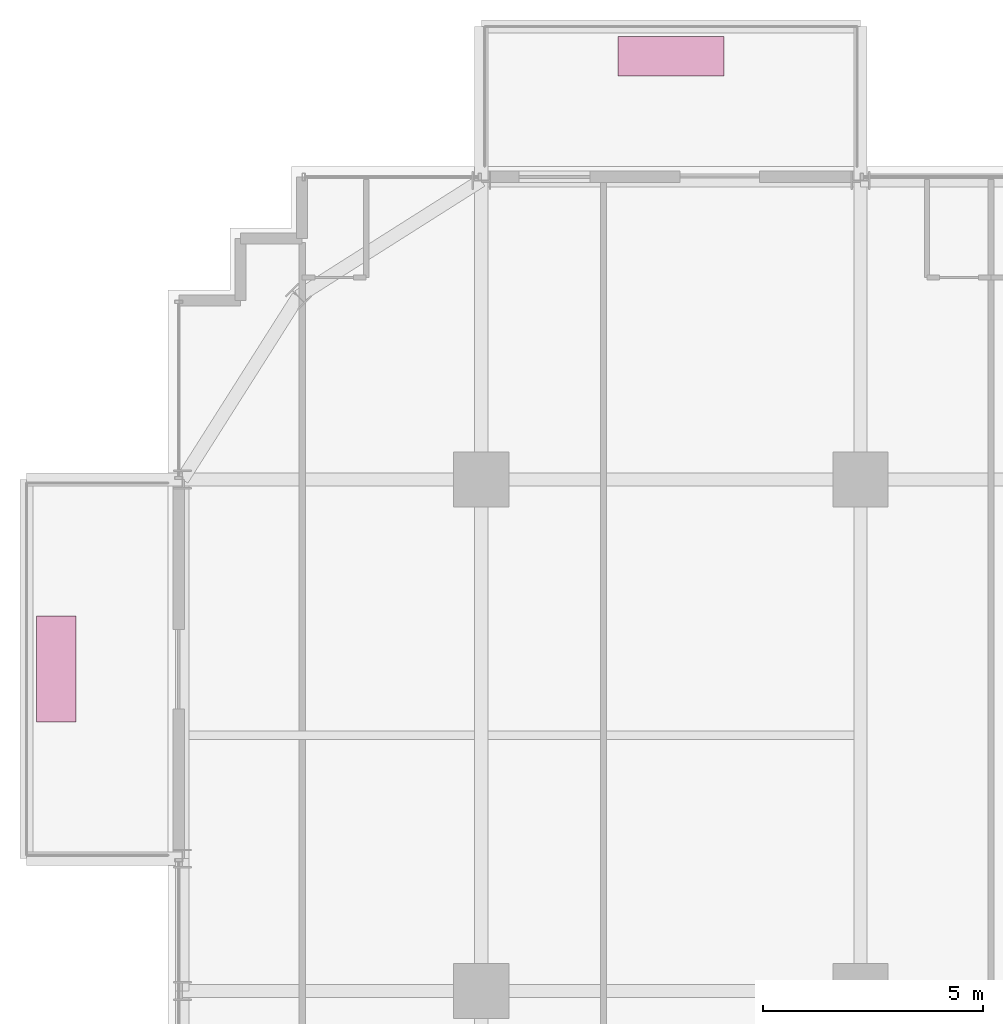
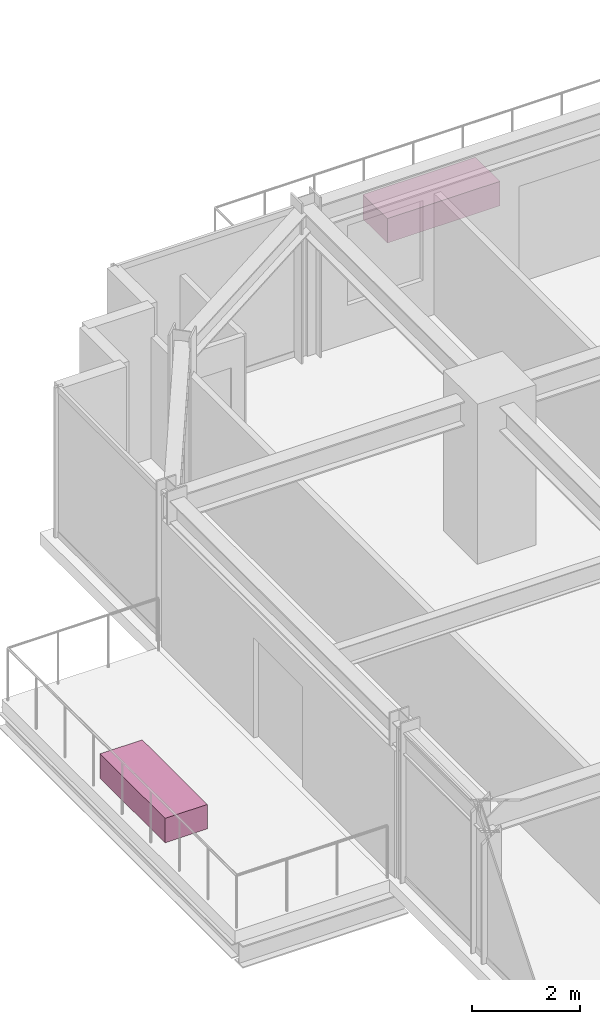
# One storey, part 35 of 35: 2 furnishings.
"""IFC4 building model written with IfcOpenShell, lengths in metres."""

from ifc_helpers import new_model, si_unit, direction, frame, origin, origin_2d, place, context, subcontext, project, spatial, rectangle, extrude, source, transform, mapped, material, type_object, element, save


model = new_model("IFC4")

# Units and contexts
model_context = context("Model", 3, precision=1e-05, world=origin(), true_north=direction((0.0, 1.0)))
body_context = subcontext(model_context, "Body", "Model", "MODEL_VIEW")
ifc_project = project(units=[si_unit("LENGTHUNIT", "METRE"), si_unit("AREAUNIT", "SQUARE_METRE"), si_unit("VOLUMEUNIT", "CUBIC_METRE"), si_unit("PLANEANGLEUNIT", "RADIAN"), si_unit("MASSUNIT", "GRAM", prefix="KILO")], contexts=[model_context])

# Site, building, storey
site_placement = place(None, origin())
site = spatial("IfcSite", under=ifc_project, at=site_placement, CompositionType="ELEMENT")
building_placement = place(site_placement, origin())
building = spatial("IfcBuilding", under=site, at=building_placement, Name="Nahalor Promenade Grand Hotel", CompositionType="ELEMENT")
storey_placement = place(building_placement, frame((0.0, 0.0, 106.550048828125)))
storey = spatial("IfcBuildingStorey", under=building, at=storey_placement, Name="L26", CompositionType="ELEMENT", Elevation=106.550048828125)

# Furnishings
ifc_material = material(Name="Vegetated Volcanic-Lapilli Tree Planter", Category="earth")
furnishing_element_type = type_object("IfcFurnishingElementType", Name="Planter-VerticalForest-Box", material=ifc_material)
shared_shape = source(origin(), body_context, "Body", "SweptSolid", [
    extrude(rectangle(XDim=2.39990234375, YDim=0.89990234375, at=origin_2d()), origin(), (0.0, 0.0, 1.0), 0.550048828125),
])
for number, where, z_axis, x_axis, name in (
    (1, (-12.699951171875, 26.60009765625, 0.0), (0.0, 0.0, 1.0), (1.0, 0.0, 0.0), "L26 Balcony Structural Tree Planter 1"),
    (2, (-26.639892578125, 12.699951171875, 0.0), (0.0, 0.0, 1.0), (0.0, 1.0, 0.0), "L26 Balcony Structural Tree Planter 2"),
):
    element("IfcFurnishingElement", number, at=place(storey_placement, frame(where, z_axis=z_axis, x_axis=x_axis)), inside=storey, type_object=furnishing_element_type, Name=name, ObjectType="PLANTER", context=body_context, shape_type="MappedRepresentation", body=[
        mapped(shared_shape, transform((0.0, 0.0, 0.0), scale=1.0)),
    ])

save(model, "model.ifc")
